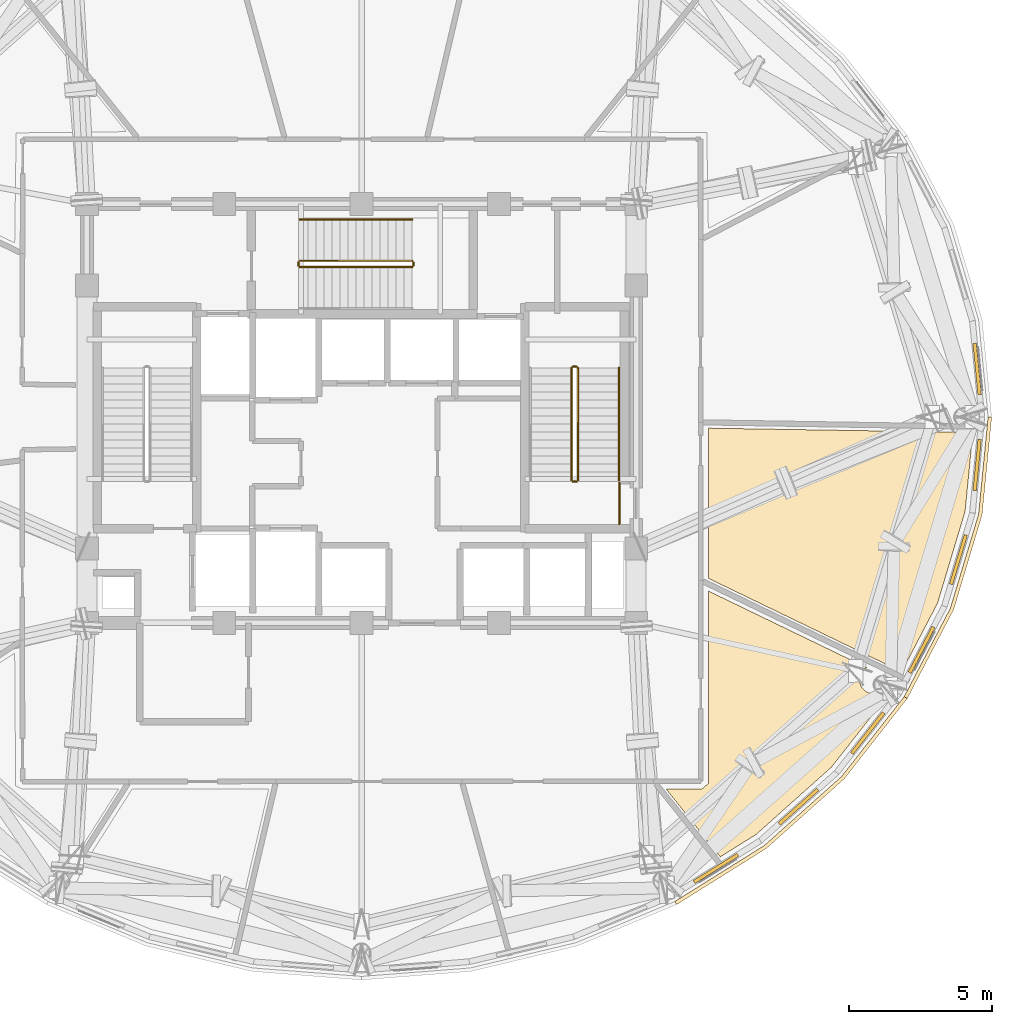
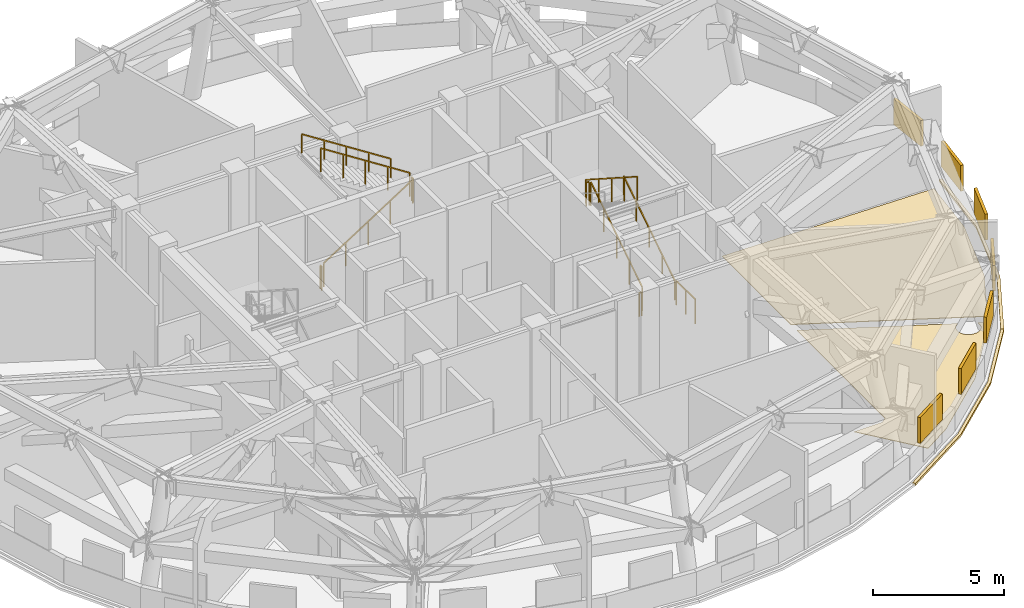
# One storey, part 12 of 13: 11 railings, 7 shading devices, 4 coverings.
"""IFC4 building model written with IfcOpenShell, lengths in metres."""

import ifcopenshell
import ifcopenshell.guid

model = None  # the IFC model being written
_history = None  # IfcOwnerHistory: only IFC2X3 demands one
_inside = {}  # id of a spatial element -> (the spatial element, [elements in it])
_under = {}  # id of a project, library or spatial element -> (it, [spatial elements below it])
_declared = {}  # id of a project -> (the project, [libraries it declares])
_typed = {}  # id of a type object -> (the type object, [elements of that type])
_made_of = {}  # id of a material, layer set ... -> (it, [elements and type objects made of it])


def new_model(schema):
    """Start an empty IFC model of exactly this schema.

    Asked for "IFC4X3", IfcOpenShell would pick the latest addendum, in which some entities
    have other attributes; the version numbers below select the first issue.
    IFC2X3 requires an IfcOwnerHistory on every rooted entity: one is made here for all.
    """
    global model, _history
    if schema == "IFC4X3":
        model = ifcopenshell.file(schema_version=(4, 3, 0, 0))
    else:
        model = ifcopenshell.file(schema=schema)
    _inside.clear()
    _under.clear()
    _declared.clear()
    _typed.clear()
    _made_of.clear()
    _history = None
    if model.schema == "IFC2X3":
        org = make("IfcOrganization", Name="unknown")
        user = make(
            "IfcPersonAndOrganization",
            ThePerson=make("IfcPerson", FamilyName="unknown"),
            TheOrganization=org,
        )
        app = make(
            "IfcApplication",
            ApplicationDeveloper=org,
            Version="unknown",
            ApplicationFullName="unknown",
            ApplicationIdentifier="unknown",
        )
        _history = make(
            "IfcOwnerHistory",
            OwningUser=user,
            OwningApplication=app,
            ChangeAction="ADDED",
            CreationDate=0,
        )
    return model


def make(cls, **values):
    """One entity of the class cls with the attributes given. An attribute that is None is left unset."""
    return model.create_entity(
        cls, **{name: value for name, value in values.items() if value is not None}
    )


def rooted(cls, **values):
    """An entity with a GlobalId (a new one), such as an element, a storey or a relation."""
    return make(cls, GlobalId=ifcopenshell.guid.new(), OwnerHistory=_history, **values)


def si_unit(unit_type, name, prefix=None):
    """IfcSIUnit, for example si_unit("LENGTHUNIT", "METRE", prefix="MILLI")."""
    return make("IfcSIUnit", UnitType=unit_type, Prefix=prefix, Name=name)


def assignment(units):
    """IfcUnitAssignment: the units of a project."""
    return None if units is None else make("IfcUnitAssignment", Units=units)


def point(xyz):
    """IfcCartesianPoint."""
    return None if xyz is None else make("IfcCartesianPoint", Coordinates=xyz)


def direction(xyz):
    """IfcDirection."""
    return None if xyz is None else make("IfcDirection", DirectionRatios=xyz)


def frame(location, z_axis=None, x_axis=None):
    """IfcAxis2Placement3D, a coordinate frame: its origin and axes. An axis left out is left unset."""
    return make(
        "IfcAxis2Placement3D",
        Location=point(location),
        Axis=direction(z_axis),
        RefDirection=direction(x_axis),
    )


def frame_2d(location, x_axis=None):
    """IfcAxis2Placement2D, a coordinate frame in the plane: its origin and x axis."""
    return make(
        "IfcAxis2Placement2D", Location=point(location), RefDirection=direction(x_axis)
    )


def origin():
    """The frame at (0, 0, 0) with its axes left unset."""
    return frame((0.0, 0.0, 0.0))


def origin_2d():
    """The frame at (0, 0) in the plane with its x axis left unset."""
    return frame_2d((0.0, 0.0))


def place(relative_to, where):
    """IfcLocalPlacement: puts the frame where relative to a parent placement (None: the world)."""
    return make(
        "IfcLocalPlacement", PlacementRelTo=relative_to, RelativePlacement=where
    )


def context(
    kind, dimensions, precision=None, world=None, true_north=None, identifier=None
):
    """IfcGeometricRepresentationContext, for example the 3D "Model" context."""
    return make(
        "IfcGeometricRepresentationContext",
        ContextIdentifier=identifier,
        ContextType=kind,
        CoordinateSpaceDimension=dimensions,
        Precision=precision,
        WorldCoordinateSystem=world,
        TrueNorth=true_north,
    )


def subcontext(parent, identifier, kind, view, scale=None):
    """IfcGeometricRepresentationSubContext, for example "Body" below "Model"."""
    return make(
        "IfcGeometricRepresentationSubContext",
        ContextIdentifier=identifier,
        ContextType=kind,
        ParentContext=parent,
        TargetScale=scale,
        TargetView=view,
    )


def project(units=None, contexts=None):
    """IfcProject with its units and contexts."""
    return rooted(
        "IfcProject",
        Name="project",
        RepresentationContexts=contexts,
        UnitsInContext=assignment(units),
    )


def spatial(cls, under=None, at=None, **own):
    """A site, building, storey or space (cls), placed at a placement, below another one or the project."""
    s = rooted(cls, ObjectPlacement=at, **own)
    if under is not None:
        _under.setdefault(under.id(), (under, []))[1].append(s)
    return s


def polyline(points):
    """IfcPolyline through the points."""
    return make("IfcPolyline", Points=[point(p) for p in points])


def profile(cls, at=None, kind="AREA", **sizes):
    """A parametric profile (cls). Its sizes go by their IFC names, for example OverallWidth=200.0."""
    return make(cls, ProfileType=kind, Position=at, **sizes)


def rectangle(**sizes):
    """IfcRectangleProfileDef."""
    return profile("IfcRectangleProfileDef", **sizes)


def outline(outer, holes=None, kind="AREA"):
    """IfcArbitraryClosedProfileDef: a profile drawn as a closed curve; with holes, ...WithVoids."""
    if holes is None:
        return make("IfcArbitraryClosedProfileDef", ProfileType=kind, OuterCurve=outer)
    return make(
        "IfcArbitraryProfileDefWithVoids",
        ProfileType=kind,
        OuterCurve=outer,
        InnerCurves=holes,
    )


def extrude(swept, where, along, depth):
    """IfcExtrudedAreaSolid: the profile swept, set in the frame where, extruded along a direction by depth."""
    return make(
        "IfcExtrudedAreaSolid",
        SweptArea=swept,
        Position=where,
        ExtrudedDirection=direction(along),
        Depth=depth,
    )


def shape(context_of_items, identifier, shape_type, items):
    """IfcShapeRepresentation: the items that make up one representation, for example the "Body"."""
    return make(
        "IfcShapeRepresentation",
        ContextOfItems=context_of_items,
        RepresentationIdentifier=identifier,
        RepresentationType=shape_type,
        Items=items,
    )


def material(Name=None, Category=None):
    """IfcMaterial."""
    return make("IfcMaterial", Name=Name, Category=Category)


def layer(
    of_material, thickness, ventilated=None, Name=None, Category=None, Priority=None
):
    """IfcMaterialLayer: one layer of a wall or slab, of a material (None: an air gap)."""
    return make(
        "IfcMaterialLayer",
        Material=of_material,
        LayerThickness=thickness,
        IsVentilated=ventilated,
        Name=Name,
        Category=Category,
        Priority=Priority,
    )


def layer_set(layers, Name=None):
    """IfcMaterialLayerSet."""
    return make("IfcMaterialLayerSet", MaterialLayers=layers, LayerSetName=Name)


def made_of(thing, what):
    """Note that an element or type object is made of a material, layer set ...; save() writes the relation."""
    if what is not None:
        _made_of.setdefault(what.id(), (what, []))[1].append(thing)
    return thing


def type_object(cls, material=None, **own):
    """A type object (cls), such as IfcWallType, which elements share."""
    return made_of(rooted(cls, **own), material)


def element(
    cls,
    number,
    at=None,
    inside=None,
    cuts=None,
    type_object=None,
    material=None,
    context=None,
    identifier="Body",
    shape_type=None,
    held_by="IfcProductDefinitionShape",
    body=None,
    shapes=None,
    **own,
):
    """One element of the class cls, such as IfcWall. Its Tag is "e" and its number.

    at: its placement. inside: the storey or other place that contains it. cuts: it is an
    opening in that element (IfcRelVoidsElement). A single representation is given by context,
    identifier, shape_type and body (its items); several are given by shapes. held_by: the class
    of the entity that holds the representations. save() writes the other relations.
    """
    e = rooted(cls, Tag="e%d" % number, ObjectPlacement=at, **own)
    if body is not None:
        shapes = [shape(context, identifier, shape_type, body)]
    if shapes is not None:
        e.Representation = make(held_by, Representations=shapes)
    if inside is not None:
        _inside.setdefault(inside.id(), (inside, []))[1].append(e)
    if cuts is not None:
        rooted(
            "IfcRelVoidsElement", RelatingBuildingElement=cuts, RelatedOpeningElement=e
        )
    if type_object is not None:
        _typed.setdefault(type_object.id(), (type_object, []))[1].append(e)
    return made_of(e, material)


def aggregate(whole, parts):
    """IfcRelAggregates: a whole, such as a stair, and the parts it consists of."""
    return rooted("IfcRelAggregates", RelatingObject=whole, RelatedObjects=parts)


def save(model, path):
    """Write the relations noted so far, then the file.

    IfcRelAggregates (storeys below a building ...), IfcRelContainedInSpatialStructure (elements
    in a storey), IfcRelDefinesByType, IfcRelAssociatesMaterial and IfcRelDeclares: one each for
    every whole, place, type object, material and project.
    """
    for whole, parts in _under.values():
        aggregate(whole, parts)
    for where, things in _inside.values():
        rooted(
            "IfcRelContainedInSpatialStructure",
            RelatedElements=things,
            RelatingStructure=where,
        )
    for kind, things in _typed.values():
        rooted("IfcRelDefinesByType", RelatedObjects=things, RelatingType=kind)
    for what, things in _made_of.values():
        rooted("IfcRelAssociatesMaterial", RelatedObjects=things, RelatingMaterial=what)
    for by, libraries in _declared.values():
        rooted("IfcRelDeclares", RelatingContext=by, RelatedDefinitions=libraries)
    model.write(path)


model = new_model("IFC4")

# Units and contexts
model_context = context("Model", 3, precision=1e-05, world=origin(), true_north=direction((0.0, 1.0)))
body_context = subcontext(model_context, "Body", "Model", "MODEL_VIEW")
ifc_project = project(units=[si_unit("LENGTHUNIT", "METRE"), si_unit("AREAUNIT", "SQUARE_METRE"), si_unit("VOLUMEUNIT", "CUBIC_METRE"), si_unit("PLANEANGLEUNIT", "RADIAN"), si_unit("MASSUNIT", "GRAM", prefix="KILO")], contexts=[model_context])

# Site, building, storey
site_placement = place(None, origin())
site = spatial("IfcSite", under=ifc_project, at=site_placement, CompositionType="ELEMENT")
building_placement = place(site_placement, origin())
building = spatial("IfcBuilding", under=site, at=building_placement, Name="Vantalir Tower", CompositionType="ELEMENT")
storey_placement = place(building_placement, frame((0.0, 0.0, 253.64990234375)))
storey = spatial("IfcBuildingStorey", under=building, at=storey_placement, Name="L64", CompositionType="ELEMENT", Elevation=253.64990234375)

# Coverings
ifc_material_1 = material(Name="Anodised champagne aluminium sill fascia", Category="aluminium")
ifc_layer_1 = layer(ifc_material_1, 0.125)
ifc_layer_set_1 = layer_set([ifc_layer_1], Name="Anodised champagne aluminium sill fascia")
covering_type_1 = type_object("IfcCoveringType", Name="COV-SLAB-FASCIA-125", PredefinedType="CLADDING", material=ifc_layer_set_1)
covering_1_placement = place(storey_placement, frame((0.0, 0.0, -0.179931640625)))
element("IfcCovering", 1, at=covering_1_placement, inside=storey, type_object=covering_type_1, Name="L64 Perimeter Slab-Edge Sill Fascia 11", PredefinedType="CLADDING", context=body_context, shape_type="SweptSolid", body=[
    extrude(outline(polyline([(42.512939453125, 7.95703125), (45.656982421875, 9.925048828125), (48.3720703125, 12.35107421875), (50.573974609375, 15.159912109375), (50.466064453125, 15.222900390625), (48.27587890625, 12.430908203125), (45.576904296875, 10.02099609375), (42.449951171875, 8.06591796875), (42.512939453125, 7.95703125)])), origin(), (0.0, 0.0, 1.0), 0.10498046875),
])
covering_2_placement = place(storey_placement, frame((0.0, 0.0, -0.179931640625)))
element("IfcCovering", 2, at=covering_2_placement, inside=storey, type_object=covering_type_1, Name="L64 Perimeter Slab-Edge Sill Fascia 12", PredefinedType="CLADDING", context=body_context, shape_type="SweptSolid", body=[
    extrude(outline(polyline([(50.573974609375, 15.159912109375), (52.197021484375, 18.26904296875), (53.18994140625, 21.5830078125), (53.52490234375, 25.0), (53.39990234375, 25.0), (53.06689453125, 21.60400390625), (52.0791015625, 18.31201171875), (50.466064453125, 15.222900390625), (50.573974609375, 15.159912109375)])), origin(), (0.0, 0.0, 1.0), 0.10498046875),
])
ifc_material_2 = material(Name="Tropical teak timber and terrazzo floor finish", Category="wood")
ifc_layer_2 = layer(ifc_material_2, 0.02490234375)
ifc_layer_set_2 = layer_set([ifc_layer_2], Name="Tropical teak timber and terrazzo floor finish")
covering_type_2 = type_object("IfcCoveringType", Name="COV-TIMBER-STONE-25", PredefinedType="FLOORING", material=ifc_layer_set_2)
covering_3_placement = place(storey_placement, origin())
element("IfcCovering", 3, at=covering_3_placement, inside=storey, type_object=covering_type_2, Name="L64 Stair Pressurisation Fan Plant Room Floor Finish", PredefinedType="FLOORING", context=body_context, shape_type="SweptSolid", body=[
    extrude(outline(polyline([(50.194091796875, 15.739013671875), (49.85302734375, 15.904052734375), (49.860107421875, 15.85791015625), (49.862060546875, 15.81103515625), (49.860107421875, 15.763916015625), (49.85302734375, 15.718017578125), (49.841064453125, 15.672119140625), (49.825927734375, 15.6279296875), (49.805908203125, 15.5859375), (49.781005859375, 15.544921875), (49.7529296875, 15.508056640625), (49.721923828125, 15.472900390625), (49.68701171875, 15.44189453125), (49.64990234375, 15.4140625), (49.60888671875, 15.388916015625), (49.56689453125, 15.368896484375), (49.52294921875, 15.35400390625), (49.47705078125, 15.342041015625), (49.430908203125, 15.3349609375), (49.384033203125, 15.3330078125), (49.3369140625, 15.3349609375), (49.291015625, 15.342041015625), (49.2451171875, 15.35400390625), (49.200927734375, 15.368896484375), (49.158935546875, 15.388916015625), (49.117919921875, 15.4140625), (49.0810546875, 15.44189453125), (49.0458984375, 15.472900390625), (49.014892578125, 15.508056640625), (48.987060546875, 15.544921875), (48.9619140625, 15.5859375), (48.94189453125, 15.6279296875), (48.927001953125, 15.672119140625), (48.9150390625, 15.718017578125), (48.907958984375, 15.763916015625), (48.906005859375, 15.81103515625), (48.907958984375, 15.85791015625), (48.9150390625, 15.904052734375), (48.927001953125, 15.949951171875), (48.94189453125, 15.993896484375), (48.9619140625, 16.035888671875), (48.987060546875, 16.076904296875), (49.014892578125, 16.114013671875), (49.0458984375, 16.14892578125), (49.0810546875, 16.179931640625), (49.117919921875, 16.2080078125), (49.166015625, 16.236083984375), (43.625, 18.9150390625), (43.62109375, 12.18896484375), (43.387939453125, 11.989990234375), (42.14990234375, 11.989990234375), (44.0390625, 9.6259765625), (45.2880859375, 10.406005859375), (47.925048828125, 12.760986328125), (50.06103515625, 15.48388671875), (50.194091796875, 15.739013671875)])), origin(), (0.0, 0.0, 1.0), 0.025146484375),
])
covering_4_placement = place(storey_placement, origin())
element("IfcCovering", 4, at=covering_4_placement, inside=storey, type_object=covering_type_2, Name="L64 BMS Control Mechanical Plant Room Floor Finish", PredefinedType="FLOORING", context=body_context, shape_type="SweptSolid", body=[
    extrude(outline(polyline([(52.593994140625, 21.697021484375), (52.864990234375, 24.4599609375), (43.625, 24.60791015625), (43.625, 19.35888671875), (50.37890625, 16.093017578125), (51.633056640625, 18.493896484375), (52.593994140625, 21.697021484375)])), origin(), (0.0, 0.0, 1.0), 0.025146484375),
])

# Railings
ifc_material_3 = material(Name="Anodised aluminium and stainless steel guard", Category="steel")
railing_type_1 = type_object("IfcRailingType", Name="RAL-GUARD-1120", PredefinedType="GUARDRAIL", material=ifc_material_3)
railing_1_placement = place(storey_placement, frame((39.06005859375, 22.7900390625, 0.18017578125)))
element("IfcRailing", 5, at=railing_1_placement, inside=storey, type_object=railing_type_1, Name="L64 ST2 stair guard 1", PredefinedType="GUARDRAIL", context=body_context, shape_type="SweptSolid", body=[
    extrude(rectangle(XDim=0.048095703125, YDim=0.048095703125, at=origin_2d()), frame((0.0, 0.0, 1.09619140625), z_axis=(0.0, 0.841171666519, 0.540768182723), x_axis=(-1.0, 0.0, 0.0)), (0.0, 0.0, 1.0), 4.66015625),
    extrude(rectangle(XDim=0.0419921875, YDim=0.0419921875, at=origin_2d()), origin(), (0.0, 0.0, 1.0), 1.072021484375),
    extrude(rectangle(XDim=0.0419921875, YDim=0.0419921875, at=origin_2d()), frame((0.0, 0.97998046875, 0.6298828125)), (0.0, 0.0, 1.0), 1.072021484375),
    extrude(rectangle(XDim=0.0419921875, YDim=0.0419921875, at=origin_2d()), frame((0.0, 1.9599609375, 1.260009765625)), (0.0, 0.0, 1.0), 1.072021484375),
    extrude(rectangle(XDim=0.0419921875, YDim=0.0419921875, at=origin_2d()), frame((0.0, 2.93994140625, 1.89013671875)), (0.0, 0.0, 1.0), 1.072021484375),
    extrude(rectangle(XDim=0.0419921875, YDim=0.0419921875, at=origin_2d()), frame((0.0, 3.919921875, 2.52001953125)), (0.0, 0.0, 1.0), 1.072021484375),
])
railing_2_placement = place(storey_placement, frame((39.010009765625, 26.760009765625, 2.7001953125)))
element("IfcRailing", 6, at=railing_2_placement, inside=storey, type_object=railing_type_1, Name="L64 ST2 stair guard 2", PredefinedType="GUARDRAIL", context=body_context, shape_type="SweptSolid", body=[
    extrude(rectangle(XDim=0.048095703125, YDim=0.048095703125, at=origin_2d()), frame((0.0, 0.0, 1.09619140625), z_axis=(-1.0, 0.0, 0.0), x_axis=(0.0, -1.0, 0.0)), (0.0, 0.0, 1.0), 0.1201171875),
    extrude(rectangle(XDim=0.0419921875, YDim=0.0419921875, at=origin_2d()), origin(), (0.0, 0.0, 1.0), 1.072021484375),
    extrude(rectangle(XDim=0.0419921875, YDim=0.0419921875, at=origin_2d()), frame((-0.1201171875, 0.0, 0.0)), (0.0, 0.0, 1.0), 1.072021484375),
])
railing_3_placement = place(storey_placement, frame((38.840087890625, 26.7099609375, 2.880126953125)))
element("IfcRailing", 7, at=railing_3_placement, inside=storey, type_object=railing_type_1, Name="L64 ST2 stair guard 3", PredefinedType="GUARDRAIL", context=body_context, shape_type="SweptSolid", body=[
    extrude(rectangle(XDim=0.048095703125, YDim=0.048095703125, at=origin_2d()), frame((0.0, 0.0, 1.09619140625), z_axis=(0.0, -0.841171666519, 0.540768182723), x_axis=(1.0, 0.0, 0.0)), (0.0, 0.0, 1.0), 4.66015625),
    extrude(rectangle(XDim=0.0419921875, YDim=0.0419921875, at=origin_2d()), origin(), (0.0, 0.0, 1.0), 1.072021484375),
    extrude(rectangle(XDim=0.0419921875, YDim=0.0419921875, at=origin_2d()), frame((0.0, -0.97998046875, 0.6298828125)), (0.0, 0.0, 1.0), 1.072021484375),
    extrude(rectangle(XDim=0.0419921875, YDim=0.0419921875, at=origin_2d()), frame((0.0, -1.9599609375, 1.260009765625)), (0.0, 0.0, 1.0), 1.072021484375),
    extrude(rectangle(XDim=0.0419921875, YDim=0.0419921875, at=origin_2d()), frame((0.0, -2.93994140625, 1.89013671875)), (0.0, 0.0, 1.0), 1.072021484375),
    extrude(rectangle(XDim=0.0419921875, YDim=0.0419921875, at=origin_2d()), frame((0.0, -3.919921875, 2.52001953125)), (0.0, 0.0, 1.0), 1.072021484375),
])
railing_4_placement = place(storey_placement, frame((39.010009765625, 22.739990234375, 0.0)))
element("IfcRailing", 8, at=railing_4_placement, inside=storey, type_object=railing_type_1, Name="L64 ST2 stair guard 4", PredefinedType="GUARDRAIL", context=body_context, shape_type="SweptSolid", body=[
    extrude(rectangle(XDim=0.048095703125, YDim=0.048095703125, at=origin_2d()), frame((0.0, 0.0, 1.09619140625), z_axis=(-1.0, 0.0, 0.0), x_axis=(0.0, -1.0, 0.0)), (0.0, 0.0, 1.0), 0.1201171875),
    extrude(rectangle(XDim=0.0419921875, YDim=0.0419921875, at=origin_2d()), origin(), (0.0, 0.0, 1.0), 1.072021484375),
    extrude(rectangle(XDim=0.0419921875, YDim=0.0419921875, at=origin_2d()), frame((-0.1201171875, 0.0, 0.0)), (0.0, 0.0, 1.0), 1.072021484375),
])
railing_5_placement = place(storey_placement, frame((29.340087890625, 30.239990234375, 0.18017578125)))
element("IfcRailing", 9, at=railing_5_placement, inside=storey, type_object=railing_type_1, Name="L64 ST3 stair guard 1", PredefinedType="GUARDRAIL", context=body_context, shape_type="SweptSolid", body=[
    extrude(rectangle(XDim=0.048095703125, YDim=0.048095703125, at=origin_2d()), frame((0.0, 0.0, 1.09619140625), z_axis=(0.841171666519, 0.0, 0.540768182723), x_axis=(0.0, 1.0, 0.0)), (0.0, 0.0, 1.0), 4.66015625),
    extrude(rectangle(XDim=0.0419921875, YDim=0.0419921875, at=origin_2d()), origin(), (0.0, 0.0, 1.0), 1.072021484375),
    extrude(rectangle(XDim=0.0419921875, YDim=0.0419921875, at=origin_2d()), frame((0.97998046875, 0.0, 0.6298828125)), (0.0, 0.0, 1.0), 1.072021484375),
    extrude(rectangle(XDim=0.0419921875, YDim=0.0419921875, at=origin_2d()), frame((1.9599609375, 0.0, 1.260009765625)), (0.0, 0.0, 1.0), 1.072021484375),
    extrude(rectangle(XDim=0.0419921875, YDim=0.0419921875, at=origin_2d()), frame((2.93994140625, 0.0, 1.89013671875)), (0.0, 0.0, 1.0), 1.072021484375),
    extrude(rectangle(XDim=0.0419921875, YDim=0.0419921875, at=origin_2d()), frame((3.919921875, 0.0, 2.52001953125)), (0.0, 0.0, 1.0), 1.072021484375),
])
railing_6_placement = place(storey_placement, frame((33.31005859375, 30.2900390625, 2.7001953125)))
element("IfcRailing", 10, at=railing_6_placement, inside=storey, type_object=railing_type_1, Name="L64 ST3 stair guard 2", PredefinedType="GUARDRAIL", context=body_context, shape_type="SweptSolid", body=[
    extrude(rectangle(XDim=0.048095703125, YDim=0.048095703125, at=origin_2d()), frame((0.0, 0.0, 1.09619140625), z_axis=(0.0, 1.0, 0.0), x_axis=(-1.0, 0.0, 0.0)), (0.0, 0.0, 1.0), 0.119873046875),
    extrude(rectangle(XDim=0.0419921875, YDim=0.0419921875, at=origin_2d()), origin(), (0.0, 0.0, 1.0), 1.072021484375),
    extrude(rectangle(XDim=0.0419921875, YDim=0.0419921875, at=origin_2d()), frame((0.0, 0.119873046875, 0.0)), (0.0, 0.0, 1.0), 1.072021484375),
])
railing_7_placement = place(storey_placement, frame((33.260009765625, 30.4599609375, 2.880126953125)))
element("IfcRailing", 11, at=railing_7_placement, inside=storey, type_object=railing_type_1, Name="L64 ST3 stair guard 3", PredefinedType="GUARDRAIL", context=body_context, shape_type="SweptSolid", body=[
    extrude(rectangle(XDim=0.048095703125, YDim=0.048095703125, at=origin_2d()), frame((0.0, 0.0, 1.09619140625), z_axis=(-0.841171666519, 0.0, 0.540768182723), x_axis=(0.0, -1.0, 0.0)), (0.0, 0.0, 1.0), 4.66015625),
    extrude(rectangle(XDim=0.0419921875, YDim=0.0419921875, at=origin_2d()), origin(), (0.0, 0.0, 1.0), 1.072021484375),
    extrude(rectangle(XDim=0.0419921875, YDim=0.0419921875, at=origin_2d()), frame((-0.97998046875, 0.0, 0.6298828125)), (0.0, 0.0, 1.0), 1.072021484375),
    extrude(rectangle(XDim=0.0419921875, YDim=0.0419921875, at=origin_2d()), frame((-1.9599609375, 0.0, 1.260009765625)), (0.0, 0.0, 1.0), 1.072021484375),
    extrude(rectangle(XDim=0.0419921875, YDim=0.0419921875, at=origin_2d()), frame((-2.93994140625, 0.0, 1.89013671875)), (0.0, 0.0, 1.0), 1.072021484375),
    extrude(rectangle(XDim=0.0419921875, YDim=0.0419921875, at=origin_2d()), frame((-3.919921875, 0.0, 2.52001953125)), (0.0, 0.0, 1.0), 1.072021484375),
])
railing_8_placement = place(storey_placement, frame((29.2900390625, 30.2900390625, 0.0)))
element("IfcRailing", 12, at=railing_8_placement, inside=storey, type_object=railing_type_1, Name="L64 ST3 stair guard 4", PredefinedType="GUARDRAIL", context=body_context, shape_type="SweptSolid", body=[
    extrude(rectangle(XDim=0.048095703125, YDim=0.048095703125, at=origin_2d()), frame((0.0, 0.0, 1.09619140625), z_axis=(0.0, 1.0, 0.0), x_axis=(-1.0, 0.0, 0.0)), (0.0, 0.0, 1.0), 0.119873046875),
    extrude(rectangle(XDim=0.0419921875, YDim=0.0419921875, at=origin_2d()), origin(), (0.0, 0.0, 1.0), 1.072021484375),
    extrude(rectangle(XDim=0.0419921875, YDim=0.0419921875, at=origin_2d()), frame((0.0, 0.119873046875, 0.0)), (0.0, 0.0, 1.0), 1.072021484375),
])
railing_9_placement = place(storey_placement, frame((40.510009765625, 21.260009765625, 0.0)))
element("IfcRailing", 13, at=railing_9_placement, inside=storey, type_object=railing_type_1, Name="L64 Stair ST2 Doorway Landing Guard", PredefinedType="GUARDRAIL", context=body_context, shape_type="SweptSolid", body=[
    extrude(rectangle(XDim=0.048095703125, YDim=0.048095703125, at=origin_2d()), frame((0.0, 0.0, 1.1259765625), z_axis=(0.0, 1.0, 0.0), x_axis=(-1.0, 0.0, 0.0)), (0.0, 0.0, 1.0), 1.43994140625),
    extrude(rectangle(XDim=0.0419921875, YDim=0.0419921875, at=origin_2d()), origin(), (0.0, 0.0, 1.0), 1.101806640625),
    extrude(rectangle(XDim=0.0419921875, YDim=0.0419921875, at=origin_2d()), frame((0.0, 0.719970703125, 0.0)), (0.0, 0.0, 1.0), 1.101806640625),
    extrude(rectangle(XDim=0.0419921875, YDim=0.0419921875, at=origin_2d()), frame((0.0, 1.43994140625, 0.0)), (0.0, 0.0, 1.0), 1.101806640625),
])
ifc_material_4 = material(Name="Brushed stainless steel tubular handrail", Category="steel")
railing_type_2 = type_object("IfcRailingType", Name="RAL-HANDRAIL-900", PredefinedType="HANDRAIL", material=ifc_material_4)
railing_10_placement = place(storey_placement, frame((40.5, 22.7900390625, 0.18017578125)))
element("IfcRailing", 14, at=railing_10_placement, inside=storey, type_object=railing_type_2, Name="L64 ST2 stair handrail 1", PredefinedType="HANDRAIL", context=body_context, shape_type="SweptSolid", body=[
    extrude(rectangle(XDim=0.048095703125, YDim=0.048095703125, at=origin_2d()), frame((0.0, 0.0, 0.8759765625), z_axis=(0.0, 0.841171666519, 0.540768182723), x_axis=(-1.0, 0.0, 0.0)), (0.0, 0.0, 1.0), 4.66015625),
    extrude(rectangle(XDim=0.0419921875, YDim=0.0419921875, at=origin_2d()), origin(), (0.0, 0.0, 1.0), 0.851806640625),
    extrude(rectangle(XDim=0.0419921875, YDim=0.0419921875, at=origin_2d()), frame((0.0, 0.97998046875, 0.6298828125)), (0.0, 0.0, 1.0), 0.851806640625),
    extrude(rectangle(XDim=0.0419921875, YDim=0.0419921875, at=origin_2d()), frame((0.0, 1.9599609375, 1.260009765625)), (0.0, 0.0, 1.0), 0.851806640625),
    extrude(rectangle(XDim=0.0419921875, YDim=0.0419921875, at=origin_2d()), frame((0.0, 2.93994140625, 1.89013671875)), (0.0, 0.0, 1.0), 0.851806640625),
    extrude(rectangle(XDim=0.0419921875, YDim=0.0419921875, at=origin_2d()), frame((0.0, 3.919921875, 2.52001953125)), (0.0, 0.0, 1.0), 0.851806640625),
])
railing_11_placement = place(storey_placement, frame((33.260009765625, 31.89990234375, 2.880126953125)))
element("IfcRailing", 15, at=railing_11_placement, inside=storey, type_object=railing_type_2, Name="L64 ST3 stair handrail 2", PredefinedType="HANDRAIL", context=body_context, shape_type="SweptSolid", body=[
    extrude(rectangle(XDim=0.048095703125, YDim=0.048095703125, at=origin_2d()), frame((0.0, 0.0, 0.8759765625), z_axis=(-0.841171666519, 0.0, 0.540768182723), x_axis=(0.0, -1.0, 0.0)), (0.0, 0.0, 1.0), 4.66015625),
    extrude(rectangle(XDim=0.0419921875, YDim=0.0419921875, at=origin_2d()), origin(), (0.0, 0.0, 1.0), 0.851806640625),
    extrude(rectangle(XDim=0.0419921875, YDim=0.0419921875, at=origin_2d()), frame((-0.97998046875, 0.0, 0.6298828125)), (0.0, 0.0, 1.0), 0.851806640625),
    extrude(rectangle(XDim=0.0419921875, YDim=0.0419921875, at=origin_2d()), frame((-1.9599609375, 0.0, 1.260009765625)), (0.0, 0.0, 1.0), 0.851806640625),
    extrude(rectangle(XDim=0.0419921875, YDim=0.0419921875, at=origin_2d()), frame((-2.93994140625, 0.0, 1.89013671875)), (0.0, 0.0, 1.0), 0.851806640625),
    extrude(rectangle(XDim=0.0419921875, YDim=0.0419921875, at=origin_2d()), frame((-3.919921875, 0.0, 2.52001953125)), (0.0, 0.0, 1.0), 0.851806640625),
])

# Shading devices
ifc_material_5 = material(Name="Champagne-silver PVDF aluminium storm louvre", Category="aluminium")
ifc_layer_3 = layer(ifc_material_5, 0.1201171875)
ifc_layer_set_3 = layer_set([ifc_layer_3], Name="Champagne-silver PVDF aluminium storm louvre")
shading_device_type = type_object("IfcShadingDeviceType", Name="SHD-STORM-LOUVRE", PredefinedType="JALOUSIE", material=ifc_layer_set_3)
for number, where, z_axis, x_axis, name in (
    (16, (53.01611328125, 26.677978515625, 1.1162109375), (0.0, 0.0, 1.0), (-0.097530789641, 0.995232508046, 0.0), "L64 Acoustic Storm Louvre R01"),
    (17, (43.887939453125, 9.221923828125, 1.1162109375), (0.0, 0.0, 1.0), (0.848242264745, 0.529608402785, 0.0), "L64 Acoustic Storm Louvre R31"),
    (18, (46.77197265625, 11.3798828125, 1.1162109375), (0.0, 0.0, 1.0), (0.746313000263, 0.665595151454, 0.0), "L64 Acoustic Storm Louvre R32"),
    (19, (49.19189453125, 13.951904296875, 1.1162109375), (0.0, 0.0, 1.0), (0.617406641008, 0.78664416329, 0.0), "L64 Acoustic Storm Louvre R33"),
    (20, (51.073974609375, 16.860107421875, 1.1162109375), (0.0, 0.0, 1.0), (0.46362081457, 0.886033712845, 0.0), "L64 Acoustic Storm Louvre R34"),
    (21, (52.362060546875, 20.014892578125, 1.1162109375), (0.0, 0.0, 1.0), (0.287678130011, 0.957727149826, 0.0), "L64 Acoustic Storm Louvre R35"),
    (22, (53.01611328125, 23.322021484375, 1.1162109375), (0.0, 0.0, 1.0), (0.097530789641, 0.995232508046, 0.0), "L64 Acoustic Storm Louvre R36"),
):
    element("IfcShadingDevice", number, at=place(storey_placement, frame(where, z_axis=z_axis, x_axis=x_axis)), inside=storey, type_object=shading_device_type, Name=name, PredefinedType="JALOUSIE", context=body_context, shape_type="SweptSolid", body=[
        extrude(rectangle(XDim=1.800048828125, YDim=0.1201171875, at=origin_2d()), origin(), (0.0, 0.0, 1.0), 1.199951171875),
    ])

save(model, "model.ifc")
